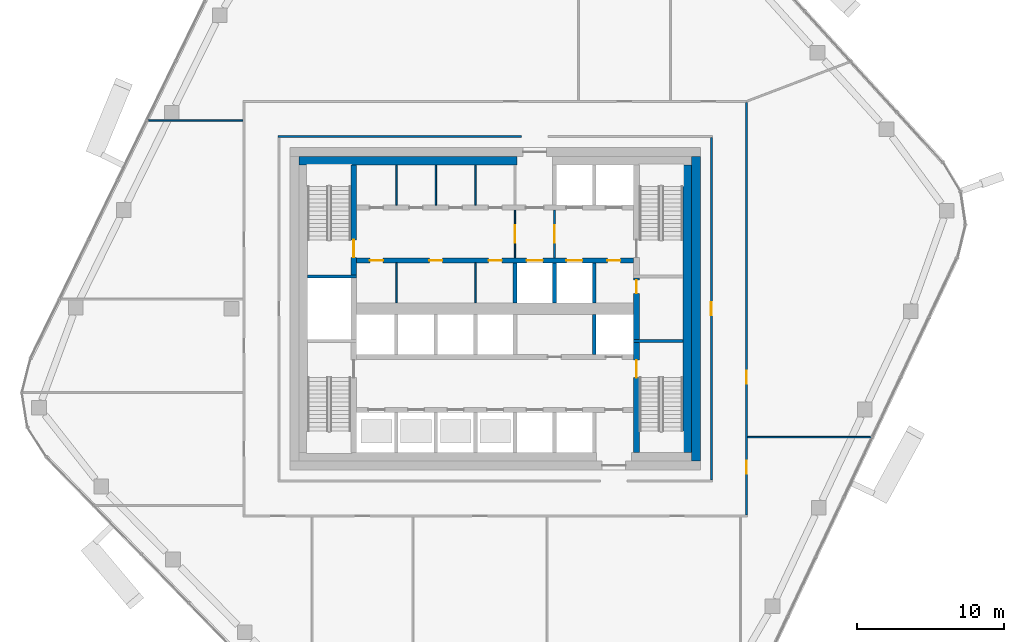
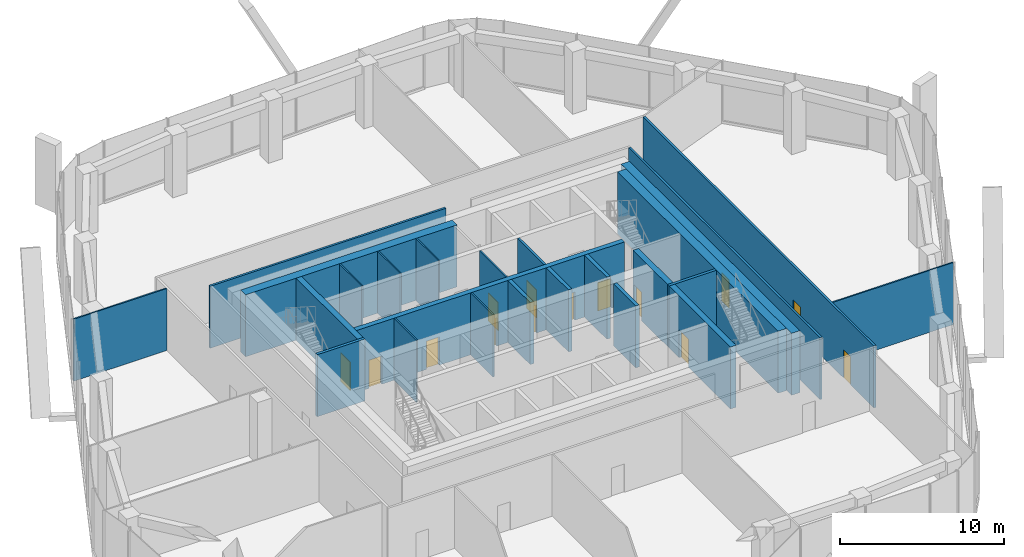
# One storey, part 11 of 20: 25 walls, 14 doors, 14 openings.
"""IFC4 building model written with IfcOpenShell, lengths in metres."""

from ifc_helpers import new_model, si_unit, direction, frame, frame_2d, origin, place, context, subcontext, project, spatial, rectangle, extrude, material, layer, layer_set, type_object, element, fill, save


model = new_model("IFC4")

# Units and contexts
model_context = context("Model", 3, precision=1e-05, world=origin(), true_north=direction((0.0, 1.0)))
body_context = subcontext(model_context, "Body", "Model", "MODEL_VIEW")
ifc_project = project(units=[si_unit("LENGTHUNIT", "METRE"), si_unit("AREAUNIT", "SQUARE_METRE"), si_unit("VOLUMEUNIT", "CUBIC_METRE"), si_unit("PLANEANGLEUNIT", "RADIAN"), si_unit("MASSUNIT", "GRAM", prefix="KILO")], contexts=[model_context])

# Site, building, storey
site_placement = place(None, origin())
site = spatial("IfcSite", under=ifc_project, at=site_placement, CompositionType="ELEMENT")
building_placement = place(site_placement, origin())
building = spatial("IfcBuilding", under=site, at=building_placement, Name="Dongbaek Canopy Tower", CompositionType="ELEMENT")
storey_placement = place(building_placement, frame((0.0, 0.0, 289.199951171875)))
storey = spatial("IfcBuildingStorey", under=building, at=storey_placement, Name="L61", CompositionType="ELEMENT", Elevation=289.199951171875)

# Wall, openings, doors
ifc_material_1 = material(Name="Concrete C60/75", Category="concrete")
ifc_layer_1 = layer(ifc_material_1, 0.35009765625)
ifc_layer_set_1 = layer_set([ifc_layer_1], Name="Core lobby wall 350 Concrete C60/75")
wall_type_1 = type_object("IfcWallType", Name="Core lobby wall 350 Concrete C60/75", PredefinedType="SHEAR", material=ifc_layer_set_1)
wall_1_placement = place(storey_placement, frame((9.449951171875, 3.300048828125, 0.0), z_axis=(0.0, 0.0, 1.0), x_axis=(-1.0, 0.0, 0.0)))
wall_1 = element("IfcWall", 1, at=wall_1_placement, inside=storey, type_object=wall_type_1, Name="Core wall", PredefinedType="SHEAR", context=body_context, shape_type="SweptSolid", body=[
    extrude(rectangle(XDim=18.89990234375, YDim=0.35009765625, at=frame_2d((9.449951171875, 0.0))), origin(), (0.0, 0.0, 1.0), 4.6201171875),
])
opening_1_placement = place(wall_1_placement, frame((6.199951171875, 0.0, 0.0)))
opening_1 = element("IfcOpeningElement", 2, at=opening_1_placement, cuts=wall_1, Name="Opening L61-D020", PredefinedType="OPENING", context=body_context, shape_type="SweptSolid", body=[
    extrude(rectangle(XDim=1.10009765625, YDim=2.10009765625, at=frame_2d((0.550048828125, 1.050048828125))), frame((0.0, 0.18505859375, 0.0), z_axis=(0.0, -1.0, 0.0), x_axis=(1.0, 0.0, 0.0)), (0.0, 0.0, 1.0), 0.3701171875),
])
opening_2_placement = place(wall_1_placement, frame((3.5, 0.0, 0.0)))
opening_2 = element("IfcOpeningElement", 3, at=opening_2_placement, cuts=wall_1, Name="Opening L61-D021", PredefinedType="OPENING", context=body_context, shape_type="SweptSolid", body=[
    extrude(rectangle(XDim=1.10009765625, YDim=2.10009765625, at=frame_2d((0.550048828125, 1.050048828125))), frame((0.0, 0.18505859375, 0.0), z_axis=(0.0, -1.0, 0.0), x_axis=(1.0, 0.0, 0.0)), (0.0, 0.0, 1.0), 0.3701171875),
])
opening_3_placement = place(wall_1_placement, frame((0.89990234375, 0.0, 0.0)))
opening_3 = element("IfcOpeningElement", 4, at=opening_3_placement, cuts=wall_1, Name="Opening L61-D022", PredefinedType="OPENING", context=body_context, shape_type="SweptSolid", body=[
    extrude(rectangle(XDim=0.89990234375, YDim=2.10009765625, at=frame_2d((0.449951171875, 1.050048828125))), frame((0.0, 0.18505859375, 0.0), z_axis=(0.0, -1.0, 0.0), x_axis=(1.0, 0.0, 0.0)), (0.0, 0.0, 1.0), 0.3701171875),
])
opening_4_placement = place(wall_1_placement, frame((17.10009765625, 0.0, 0.0)))
opening_4 = element("IfcOpeningElement", 5, at=opening_4_placement, cuts=wall_1, Name="Opening L61-D036", PredefinedType="OPENING", context=body_context, shape_type="SweptSolid", body=[
    extrude(rectangle(XDim=0.89990234375, YDim=2.10009765625, at=frame_2d((0.449951171875, 1.050048828125))), frame((0.0, 0.18505859375, 0.0), z_axis=(0.0, -1.0, 0.0), x_axis=(1.0, 0.0, 0.0)), (0.0, 0.0, 1.0), 0.3701171875),
])
opening_5_placement = place(wall_1_placement, frame((13.050048828125, 0.0, 0.0)))
opening_5 = element("IfcOpeningElement", 6, at=opening_5_placement, cuts=wall_1, Name="Opening L61-D037", PredefinedType="OPENING", context=body_context, shape_type="SweptSolid", body=[
    extrude(rectangle(XDim=0.89990234375, YDim=2.10009765625, at=frame_2d((0.449951171875, 1.050048828125))), frame((0.0, 0.18505859375, 0.0), z_axis=(0.0, -1.0, 0.0), x_axis=(1.0, 0.0, 0.0)), (0.0, 0.0, 1.0), 0.3701171875),
])
opening_6_placement = place(wall_1_placement, frame((9.0, 0.0, 0.0)))
opening_6 = element("IfcOpeningElement", 7, at=opening_6_placement, cuts=wall_1, Name="Opening L61-D038", PredefinedType="OPENING", context=body_context, shape_type="SweptSolid", body=[
    extrude(rectangle(XDim=0.89990234375, YDim=2.10009765625, at=frame_2d((0.449951171875, 1.050048828125))), frame((0.0, 0.18505859375, 0.0), z_axis=(0.0, -1.0, 0.0), x_axis=(1.0, 0.0, 0.0)), (0.0, 0.0, 1.0), 0.3701171875),
])
ifc_material_2 = material(Name="Steel", Category="steel")
door_type_1 = type_object("IfcDoorType", Name="Core room door 900 x 2100", OperationType="SINGLE_SWING_LEFT", PredefinedType="DOOR", material=ifc_material_2)
door_1_placement = place(opening_3_placement, origin())
door_1 = element("IfcDoor", 8, at=door_1_placement, inside=storey, type_object=door_type_1, Name="Door L61-D022", OperationType="SINGLE_SWING_LEFT", OverallHeight=2.10009765625, OverallWidth=0.89990234375, PredefinedType="DOOR", context=body_context, shape_type="SweptSolid", body=[
    extrude(rectangle(XDim=0.89990234375, YDim=2.10009765625, at=frame_2d((0.449951171875, 1.050048828125))), frame((0.0, 0.02490234375, 0.0), z_axis=(0.0, -1.0, 0.0), x_axis=(1.0, 0.0, 0.0)), (0.0, 0.0, 1.0), 0.050048828125),
])
fill(opening_3, door_1)
door_2_placement = place(opening_4_placement, origin())
door_2 = element("IfcDoor", 9, at=door_2_placement, inside=storey, type_object=door_type_1, Name="Door L61-D036", OperationType="SINGLE_SWING_RIGHT", OverallHeight=2.10009765625, OverallWidth=0.89990234375, PredefinedType="DOOR", context=body_context, shape_type="SweptSolid", body=[
    extrude(rectangle(XDim=0.89990234375, YDim=2.10009765625, at=frame_2d((0.449951171875, 1.050048828125))), frame((0.0, 0.02490234375, 0.0), z_axis=(0.0, -1.0, 0.0), x_axis=(1.0, 0.0, 0.0)), (0.0, 0.0, 1.0), 0.050048828125),
])
fill(opening_4, door_2)
door_3_placement = place(opening_5_placement, origin())
door_3 = element("IfcDoor", 10, at=door_3_placement, inside=storey, type_object=door_type_1, Name="Door L61-D037", OperationType="SINGLE_SWING_LEFT", OverallHeight=2.10009765625, OverallWidth=0.89990234375, PredefinedType="DOOR", context=body_context, shape_type="SweptSolid", body=[
    extrude(rectangle(XDim=0.89990234375, YDim=2.10009765625, at=frame_2d((0.449951171875, 1.050048828125))), frame((0.0, 0.02490234375, 0.0), z_axis=(0.0, -1.0, 0.0), x_axis=(1.0, 0.0, 0.0)), (0.0, 0.0, 1.0), 0.050048828125),
])
fill(opening_5, door_3)
door_4_placement = place(opening_6_placement, origin())
door_4 = element("IfcDoor", 11, at=door_4_placement, inside=storey, type_object=door_type_1, Name="Door L61-D038", OperationType="SINGLE_SWING_RIGHT", OverallHeight=2.10009765625, OverallWidth=0.89990234375, PredefinedType="DOOR", context=body_context, shape_type="SweptSolid", body=[
    extrude(rectangle(XDim=0.89990234375, YDim=2.10009765625, at=frame_2d((0.449951171875, 1.050048828125))), frame((0.0, 0.02490234375, 0.0), z_axis=(0.0, -1.0, 0.0), x_axis=(1.0, 0.0, 0.0)), (0.0, 0.0, 1.0), 0.050048828125),
])
fill(opening_6, door_4)
ifc_material_3 = material(Name="Stainless steel", Category="steel")
door_type_2 = type_object("IfcDoorType", Name="Lift landing door 1100 x 2100", OperationType="DOUBLE_DOOR_SLIDING", PredefinedType="DOOR", material=ifc_material_3)
door_5_placement = place(opening_1_placement, origin())
door_5 = element("IfcDoor", 12, at=door_5_placement, inside=storey, type_object=door_type_2, Name="Landing door SV1", OperationType="DOUBLE_DOOR_SLIDING", OverallHeight=2.10009765625, OverallWidth=1.10009765625, PredefinedType="DOOR", context=body_context, shape_type="SweptSolid", body=[
    extrude(rectangle(XDim=1.10009765625, YDim=2.10009765625, at=frame_2d((0.550048828125, 1.050048828125))), frame((0.0, 0.02490234375, 0.0), z_axis=(0.0, -1.0, 0.0), x_axis=(1.0, 0.0, 0.0)), (0.0, 0.0, 1.0), 0.050048828125),
])
fill(opening_1, door_5)
door_6_placement = place(opening_2_placement, origin())
door_6 = element("IfcDoor", 13, at=door_6_placement, inside=storey, type_object=door_type_2, Name="Landing door FF3", OperationType="DOUBLE_DOOR_SLIDING", OverallHeight=2.10009765625, OverallWidth=1.10009765625, PredefinedType="DOOR", context=body_context, shape_type="SweptSolid", body=[
    extrude(rectangle(XDim=1.10009765625, YDim=2.10009765625, at=frame_2d((0.550048828125, 1.050048828125))), frame((0.0, 0.02490234375, 0.0), z_axis=(0.0, -1.0, 0.0), x_axis=(1.0, 0.0, 0.0)), (0.0, 0.0, 1.0), 0.050048828125),
])
fill(opening_2, door_6)

# Walls
ifc_material_4 = material(Name="Concrete C80/95", Category="concrete")
ifc_layer_2 = layer(ifc_material_4, 0.60009765625)
ifc_layer_set_2 = layer_set([ifc_layer_2], Name="Core outer wall 600 Concrete C80/95")
wall_type_2 = type_object("IfcWallType", Name="Core outer wall 600 Concrete C80/95", PredefinedType="SHEAR", material=ifc_layer_set_2)
wall_2_placement = place(storey_placement, frame((13.699951171875, 10.39990234375, 0.0), z_axis=(0.0, 0.0, 1.0), x_axis=(0.0, -1.0, 0.0)))
element("IfcWall", 14, at=wall_2_placement, inside=storey, type_object=wall_type_2, Name="Core wall", PredefinedType="SHEAR", context=body_context, shape_type="SweptSolid", body=[
    extrude(rectangle(XDim=20.7998046875, YDim=0.60009765625, at=frame_2d((10.39990234375, 0.0))), origin(), (0.0, 0.0, 1.0), 4.6201171875),
])
ifc_material_5 = material(Name="Concrete C60/75", Category="concrete")
ifc_layer_3 = layer(ifc_material_5, 0.60009765625)
ifc_layer_set_3 = layer_set([ifc_layer_3], Name="Core wall lining 600 Concrete C60/75")
wall_type_3 = type_object("IfcWallType", Name="Core wall lining 600 Concrete C60/75", PredefinedType="SHEAR", material=ifc_layer_set_3)
wall_3_placement = place(storey_placement, frame((-13.39990234375, 10.10009765625, 0.0), z_axis=(0.0, 0.0, 1.0), x_axis=(1.0, 0.0, 0.0)))
element("IfcWall", 15, at=wall_3_placement, inside=storey, type_object=wall_type_3, Name="Core wall lining", PredefinedType="SHEAR", context=body_context, shape_type="SweptSolid", body=[
    extrude(rectangle(XDim=14.89990234375, YDim=0.60009765625, at=frame_2d((7.449951171875, 0.0))), origin(), (0.0, 0.0, 1.0), 4.6201171875),
])
wall_4_placement = place(storey_placement, frame((13.10009765625, 9.800048828125, 0.0), z_axis=(0.0, 0.0, 1.0), x_axis=(0.0, -1.0, 0.0)))
element("IfcWall", 16, at=wall_4_placement, inside=storey, type_object=wall_type_3, Name="Core wall lining", PredefinedType="SHEAR", context=body_context, shape_type="SweptSolid", body=[
    extrude(rectangle(XDim=19.60009765625, YDim=0.60009765625, at=frame_2d((9.800048828125, 0.0))), origin(), (0.0, 0.0, 1.0), 4.6201171875),
])
ifc_material_6 = material(Name="Gypsum board partition, steel stud, 2 x 15 mm fire board", Category="steel")
ifc_layer_4 = layer(ifc_material_6, 0.14990234375)
ifc_layer_set_4 = layer_set([ifc_layer_4], Name="Fire-rated partition 150 gypsum board")
wall_type_4 = type_object("IfcWallType", Name="Fire-rated partition 150 gypsum board", PredefinedType="PARTITIONING", material=ifc_layer_set_4)
wall_5_placement = place(storey_placement, frame((-14.824951171875, 11.75, 0.0), z_axis=(0.0, 0.0, 1.0), x_axis=(1.0, 0.0, 0.0)))
element("IfcWall", 17, at=wall_5_placement, inside=storey, type_object=wall_type_4, Name="Corridor partition", PredefinedType="PARTITIONING", context=body_context, shape_type="SweptSolid", body=[
    extrude(rectangle(XDim=16.625, YDim=0.14990234375, at=frame_2d((8.3125, 0.0))), origin(), (0.0, 0.0, 1.0), 4.6201171875),
])

# Wall, openings, doors
wall_6_placement = place(storey_placement, frame((17.14990234375, 14.074951171875, 0.0), z_axis=(0.0, 0.0, 1.0), x_axis=(0.0, -1.0, 0.0)))
wall_6 = element("IfcWall", 18, at=wall_6_placement, inside=storey, type_object=wall_type_4, Name="Corridor partition", PredefinedType="PARTITIONING", context=body_context, shape_type="SweptSolid", body=[
    extrude(rectangle(XDim=28.14990234375, YDim=0.14990234375, at=frame_2d((14.074951171875, 0.0))), origin(), (0.0, 0.0, 1.0), 4.6201171875),
])
opening_7_placement = place(wall_6_placement, frame((24.43310546875, 0.0, 0.0)))
opening_7 = element("IfcOpeningElement", 19, at=opening_7_placement, cuts=wall_6, Name="Opening L61-D007", PredefinedType="OPENING", context=body_context, shape_type="SweptSolid", body=[
    extrude(rectangle(XDim=0.89990234375, YDim=2.10009765625, at=frame_2d((0.449951171875, 1.050048828125))), frame((0.0, 0.0849609375, 0.0), z_axis=(0.0, -1.0, 0.0), x_axis=(1.0, 0.0, 0.0)), (0.0, 0.0, 1.0), 0.169921875),
])
opening_8_placement = place(wall_6_placement, frame((18.303955078125, 0.0, 0.0)))
opening_8 = element("IfcOpeningElement", 20, at=opening_8_placement, cuts=wall_6, Name="Opening L61-D008", PredefinedType="OPENING", context=body_context, shape_type="SweptSolid", body=[
    extrude(rectangle(XDim=0.89990234375, YDim=2.10009765625, at=frame_2d((0.449951171875, 1.050048828125))), frame((0.0, 0.0849609375, 0.0), z_axis=(0.0, -1.0, 0.0), x_axis=(1.0, 0.0, 0.0)), (0.0, 0.0, 1.0), 0.169921875),
])
ifc_material_7 = material(Name="Timber veneered door leaf", Category="wood")
door_type_3 = type_object("IfcDoorType", Name="Room door 900 x 2100", OperationType="SINGLE_SWING_LEFT", PredefinedType="DOOR", material=ifc_material_7)
door_7_placement = place(opening_7_placement, origin())
door_7 = element("IfcDoor", 21, at=door_7_placement, inside=storey, type_object=door_type_3, Name="Door L61-D007", OperationType="SINGLE_SWING_RIGHT", OverallHeight=2.10009765625, OverallWidth=0.89990234375, PredefinedType="DOOR", context=body_context, shape_type="SweptSolid", body=[
    extrude(rectangle(XDim=0.89990234375, YDim=2.10009765625, at=frame_2d((0.449951171875, 1.050048828125))), frame((0.0, 0.02490234375, 0.0), z_axis=(0.0, -1.0, 0.0), x_axis=(1.0, 0.0, 0.0)), (0.0, 0.0, 1.0), 0.050048828125),
])
fill(opening_7, door_7)
door_8_placement = place(opening_8_placement, origin())
door_8 = element("IfcDoor", 22, at=door_8_placement, inside=storey, type_object=door_type_3, Name="Door L61-D008", OperationType="SINGLE_SWING_LEFT", OverallHeight=2.10009765625, OverallWidth=0.89990234375, PredefinedType="DOOR", context=body_context, shape_type="SweptSolid", body=[
    extrude(rectangle(XDim=0.89990234375, YDim=2.10009765625, at=frame_2d((0.449951171875, 1.050048828125))), frame((0.0, 0.02490234375, 0.0), z_axis=(0.0, -1.0, 0.0), x_axis=(1.0, 0.0, 0.0)), (0.0, 0.0, 1.0), 0.050048828125),
])
fill(opening_8, door_8)

# Wall, opening, door
wall_7_placement = place(storey_placement, frame((14.75, -11.675048828125, 0.0), z_axis=(0.0, 0.0, 1.0), x_axis=(0.0, 1.0, 0.0)))
wall_7 = element("IfcWall", 23, at=wall_7_placement, inside=storey, type_object=wall_type_4, Name="Corridor partition", PredefinedType="PARTITIONING", context=body_context, shape_type="SweptSolid", body=[
    extrude(rectangle(XDim=23.35009765625, YDim=0.14990234375, at=frame_2d((11.675048828125, 0.0))), origin(), (0.0, 0.0, 1.0), 4.6201171875),
])
opening_9_placement = place(wall_7_placement, frame((11.22509765625, 0.0, 0.0)))
opening_9 = element("IfcOpeningElement", 24, at=opening_9_placement, cuts=wall_7, Name="Opening L61-D014", PredefinedType="OPENING", context=body_context, shape_type="SweptSolid", body=[
    extrude(rectangle(XDim=0.89990234375, YDim=2.10009765625, at=frame_2d((0.449951171875, 1.050048828125))), frame((0.0, 0.0849609375, 0.0), z_axis=(0.0, -1.0, 0.0), x_axis=(1.0, 0.0, 0.0)), (0.0, 0.0, 1.0), 0.169921875),
])
door_9_placement = place(opening_9_placement, origin())
door_9 = element("IfcDoor", 25, at=door_9_placement, inside=storey, type_object=door_type_3, Name="Door L61-D014", OperationType="SINGLE_SWING_LEFT", OverallHeight=2.10009765625, OverallWidth=0.89990234375, PredefinedType="DOOR", context=body_context, shape_type="SweptSolid", body=[
    extrude(rectangle(XDim=0.89990234375, YDim=2.10009765625, at=frame_2d((0.449951171875, 1.050048828125))), frame((0.0, 0.02490234375, 0.0), z_axis=(0.0, -1.0, 0.0), x_axis=(1.0, 0.0, 0.0)), (0.0, 0.0, 1.0), 0.050048828125),
])
fill(opening_9, door_9)

wall_8_placement = place(storey_placement, frame((4.050048828125, 6.72509765625, 0.0), z_axis=(0.0, 0.0, 1.0), x_axis=(0.0, -1.0, 0.0)))
wall_8 = element("IfcWall", 26, at=wall_8_placement, inside=storey, type_object=wall_type_4, Name="Fire lobby partition", PredefinedType="PARTITIONING", context=body_context, shape_type="SweptSolid", body=[
    extrude(rectangle(XDim=3.25, YDim=0.14990234375, at=frame_2d((1.625, 0.0))), origin(), (0.0, 0.0, 1.0), 4.6201171875),
])
opening_10_placement = place(wall_8_placement, frame((1.02490234375, 0.0, 0.0)))
opening_10 = element("IfcOpeningElement", 27, at=opening_10_placement, cuts=wall_8, Name="Opening L61-D045", PredefinedType="OPENING", context=body_context, shape_type="SweptSolid", body=[
    extrude(rectangle(XDim=1.199951171875, YDim=2.10009765625, at=frame_2d((0.60009765625, 1.050048828125))), frame((0.0, 0.0849609375, 0.0), z_axis=(0.0, -1.0, 0.0), x_axis=(1.0, 0.0, 0.0)), (0.0, 0.0, 1.0), 0.169921875),
])
ifc_material_8 = material(Name="Steel", Category="steel")
door_type_4 = type_object("IfcDoorType", Name="Fire lobby door 1200 x 2100", OperationType="SINGLE_SWING_LEFT", PredefinedType="DOOR", material=ifc_material_8)
door_10_placement = place(opening_10_placement, origin())
door_10 = element("IfcDoor", 28, at=door_10_placement, inside=storey, type_object=door_type_4, Name="Door L61-D045", OperationType="SINGLE_SWING_RIGHT", OverallHeight=2.10009765625, OverallWidth=1.199951171875, PredefinedType="DOOR", context=body_context, shape_type="SweptSolid", body=[
    extrude(rectangle(XDim=1.199951171875, YDim=2.10009765625, at=frame_2d((0.60009765625, 1.050048828125))), frame((0.0, 0.02490234375, 0.0), z_axis=(0.0, -1.0, 0.0), x_axis=(1.0, 0.0, 0.0)), (0.0, 0.0, 1.0), 0.050048828125),
])
fill(opening_10, door_10)

# Walls
ifc_material_9 = material(Name="Concrete C40/50", Category="concrete")
ifc_layer_5 = layer(ifc_material_9, 0.25)
ifc_layer_set_5 = layer_set([ifc_layer_5], Name="Lift shaft wall 250 Concrete C40/50")
wall_type_5 = type_object("IfcWallType", Name="Lift shaft wall 250 Concrete C40/50", PredefinedType="SOLIDWALL", material=ifc_layer_set_5)
for number, where, z_axis, x_axis, name in (
    (29, (6.75, -3.125, 0.0), (0.0, 0.0, 1.0), (0.0, 1.0, 0.0), "Lift shaft wall"),
    (30, (6.75, 0.39990234375, 0.0), (0.0, 0.0, 1.0), (0.0, 1.0, 0.0), "Lift shaft wall"),
    (31, (4.050048828125, 0.39990234375, 0.0), (0.0, 0.0, 1.0), (0.0, 1.0, 0.0), "Lift shaft wall"),
    (32, (1.35009765625, 0.39990234375, 0.0), (0.0, 0.0, 1.0), (0.0, 1.0, 0.0), "Lift shaft wall"),
):
    element("IfcWall", number, at=place(storey_placement, frame(where, z_axis=z_axis, x_axis=x_axis)), inside=storey, type_object=wall_type_5, Name=name, PredefinedType="SOLIDWALL", context=body_context, shape_type="SweptSolid", body=[
        extrude(rectangle(XDim=2.72509765625, YDim=0.25, at=frame_2d((1.362548828125, 0.0))), origin(), (0.0, 0.0, 1.0), 4.6201171875),
    ])
ifc_material_10 = material(Name="Gypsum board partition, steel stud, 2 x 12.5 mm board", Category="steel")
ifc_layer_6 = layer(ifc_material_10, 0.10009765625)
ifc_layer_set_6 = layer_set([ifc_layer_6], Name="Partition 100 gypsum board")
wall_type_6 = type_object("IfcWallType", Name="Partition 100 gypsum board", PredefinedType="PARTITIONING", material=ifc_layer_set_6)
wall_9_placement = place(storey_placement, frame((17.22509765625, -8.764892578125, 0.0), z_axis=(0.0, 0.0, 1.0), x_axis=(1.0, 0.0, 0.0)))
element("IfcWall", 33, at=wall_9_placement, inside=storey, type_object=wall_type_6, Name="Partition", PredefinedType="PARTITIONING", context=body_context, shape_type="SweptSolid", body=[
    extrude(rectangle(XDim=8.50537109375, YDim=0.10009765625, at=frame_2d((4.252685546875, 0.0))), origin(), (0.0, 0.0, 1.0), 4.6201171875),
])
wall_10_placement = place(storey_placement, frame((-23.763427734375, 12.843994140625, 0.0), z_axis=(0.0, 0.0, 1.0), x_axis=(1.0, 0.0, 0.0)))
element("IfcWall", 34, at=wall_10_placement, inside=storey, type_object=wall_type_6, Name="Partition", PredefinedType="PARTITIONING", context=body_context, shape_type="SweptSolid", body=[
    extrude(rectangle(XDim=6.538330078125, YDim=0.10009765625, at=frame_2d((3.26904296875, 0.0))), origin(), (0.0, 0.0, 1.0), 4.6201171875),
])

# Wall, opening, door
wall_11_placement = place(storey_placement, frame((1.35009765625, 6.72509765625, 0.0), z_axis=(0.0, 0.0, 1.0), x_axis=(0.0, -1.0, 0.0)))
wall_11 = element("IfcWall", 35, at=wall_11_placement, inside=storey, type_object=wall_type_6, Name="Core partition", PredefinedType="PARTITIONING", context=body_context, shape_type="SweptSolid", body=[
    extrude(rectangle(XDim=3.25, YDim=0.10009765625, at=frame_2d((1.625, 0.0))), origin(), (0.0, 0.0, 1.0), 4.6201171875),
])
opening_11_placement = place(wall_11_placement, frame((1.02490234375, 0.0, 0.0)))
opening_11 = element("IfcOpeningElement", 36, at=opening_11_placement, cuts=wall_11, Name="Opening L61-D044", PredefinedType="OPENING", context=body_context, shape_type="SweptSolid", body=[
    extrude(rectangle(XDim=1.199951171875, YDim=2.10009765625, at=frame_2d((0.60009765625, 1.050048828125))), frame((0.0, 0.06005859375, 0.0), z_axis=(0.0, -1.0, 0.0), x_axis=(1.0, 0.0, 0.0)), (0.0, 0.0, 1.0), 0.1201171875),
])
door_11_placement = place(opening_11_placement, origin())
door_11 = element("IfcDoor", 37, at=door_11_placement, inside=storey, type_object=door_type_4, Name="Door L61-D044", OperationType="SINGLE_SWING_LEFT", OverallHeight=2.10009765625, OverallWidth=1.199951171875, PredefinedType="DOOR", context=body_context, shape_type="SweptSolid", body=[
    extrude(rectangle(XDim=1.199951171875, YDim=2.10009765625, at=frame_2d((0.60009765625, 1.050048828125))), frame((0.0, 0.02490234375, 0.0), z_axis=(0.0, -1.0, 0.0), x_axis=(1.0, 0.0, 0.0)), (0.0, 0.0, 1.0), 0.050048828125),
])
fill(opening_11, door_11)

# Walls
for number, where, z_axis, x_axis, name in (
    (38, (-1.35009765625, 0.39990234375, 0.0), (0.0, 0.0, 1.0), (0.0, 1.0, 0.0), "Core partition"),
    (39, (-1.35009765625, 7.074951171875, 0.0), (0.0, 0.0, 1.0), (0.0, 1.0, 0.0), "Core partition"),
    (40, (-4.050048828125, 7.074951171875, 0.0), (0.0, 0.0, 1.0), (0.0, 1.0, 0.0), "Core partition"),
    (41, (-6.75, 0.39990234375, 0.0), (0.0, 0.0, 1.0), (0.0, 1.0, 0.0), "Core partition"),
    (42, (-6.75, 7.074951171875, 0.0), (0.0, 0.0, 1.0), (0.0, 1.0, 0.0), "Core partition"),
):
    element("IfcWall", number, at=place(storey_placement, frame(where, z_axis=z_axis, x_axis=x_axis)), inside=storey, type_object=wall_type_6, Name=name, PredefinedType="PARTITIONING", context=body_context, shape_type="SweptSolid", body=[
        extrude(rectangle(XDim=2.72509765625, YDim=0.10009765625, at=frame_2d((1.362548828125, 0.0))), origin(), (0.0, 0.0, 1.0), 4.6201171875),
    ])
ifc_material_11 = material(Name="Concrete C60/75", Category="concrete")
ifc_layer_7 = layer(ifc_material_11, 0.199951171875)
ifc_layer_set_7 = layer_set([ifc_layer_7], Name="Riser wall 200 Concrete C60/75")
wall_type_7 = type_object("IfcWallType", Name="Riser wall 200 Concrete C60/75", PredefinedType="SHEAR", material=ifc_layer_set_7)
for number, where, z_axis, x_axis, name in (
    (43, (-9.449951171875, 2.199951171875, 0.0), (0.0, 0.0, 1.0), (-1.0, 0.0, 0.0), "Riser wall"),
    (44, (9.449951171875, -2.199951171875, 0.0), (0.0, 0.0, 1.0), (1.0, 0.0, 0.0), "Riser wall"),
):
    element("IfcWall", number, at=place(storey_placement, frame(where, z_axis=z_axis, x_axis=x_axis)), inside=storey, type_object=wall_type_7, Name=name, PredefinedType="SHEAR", context=body_context, shape_type="SweptSolid", body=[
        extrude(rectangle(XDim=3.35009765625, YDim=0.199951171875, at=frame_2d((1.675048828125, 0.0))), origin(), (0.0, 0.0, 1.0), 4.6201171875),
    ])

# Wall, opening, door
ifc_material_12 = material(Name="Concrete C60/75", Category="concrete")
ifc_layer_8 = layer(ifc_material_12, 0.39990234375)
ifc_layer_set_8 = layer_set([ifc_layer_8], Name="Stair wall 400 Concrete C60/75")
wall_type_8 = type_object("IfcWallType", Name="Stair wall 400 Concrete C60/75", PredefinedType="SHEAR", material=ifc_layer_set_8)
wall_12_placement = place(storey_placement, frame((9.64990234375, -2.300048828125, 0.0), z_axis=(0.0, 0.0, 1.0), x_axis=(0.0, -1.0, 0.0)))
wall_12 = element("IfcWall", 45, at=wall_12_placement, inside=storey, type_object=wall_type_8, Name="Stair wall", PredefinedType="SHEAR", context=body_context, shape_type="SweptSolid", body=[
    extrude(rectangle(XDim=7.5, YDim=0.39990234375, at=frame_2d((3.75, 0.0))), origin(), (0.0, 0.0, 1.0), 4.6201171875),
])
opening_12_placement = place(wall_12_placement, frame((1.199951171875, 0.0, 0.0)))
opening_12 = element("IfcOpeningElement", 46, at=opening_12_placement, cuts=wall_12, Name="Opening L61-D042", PredefinedType="OPENING", context=body_context, shape_type="SweptSolid", body=[
    extrude(rectangle(XDim=1.199951171875, YDim=2.10009765625, at=frame_2d((0.60009765625, 1.050048828125))), frame((0.0, 0.2099609375, 0.0), z_axis=(0.0, -1.0, 0.0), x_axis=(1.0, 0.0, 0.0)), (0.0, 0.0, 1.0), 0.419921875),
])
ifc_material_13 = material(Name="Steel", Category="steel")
door_type_5 = type_object("IfcDoorType", Name="Stair door 1200 x 2100", OperationType="SINGLE_SWING_LEFT", PredefinedType="DOOR", material=ifc_material_13)
door_12_placement = place(opening_12_placement, origin())
door_12 = element("IfcDoor", 47, at=door_12_placement, inside=storey, type_object=door_type_5, Name="Stair B door", OperationType="SINGLE_SWING_RIGHT", OverallHeight=2.10009765625, OverallWidth=1.199951171875, PredefinedType="DOOR", context=body_context, shape_type="SweptSolid", body=[
    extrude(rectangle(XDim=1.199951171875, YDim=2.10009765625, at=frame_2d((0.60009765625, 1.050048828125))), frame((0.0, 0.02490234375, 0.0), z_axis=(0.0, -1.0, 0.0), x_axis=(1.0, 0.0, 0.0)), (0.0, 0.0, 1.0), 0.050048828125),
])
fill(opening_12, door_12)

wall_13_placement = place(storey_placement, frame((9.64990234375, 2.10009765625, 0.0), z_axis=(0.0, 0.0, 1.0), x_axis=(0.0, -1.0, 0.0)))
wall_13 = element("IfcWall", 48, at=wall_13_placement, inside=storey, type_object=wall_type_8, Name="Stair wall", PredefinedType="SHEAR", context=body_context, shape_type="SweptSolid", body=[
    extrude(rectangle(XDim=4.2001953125, YDim=0.39990234375, at=frame_2d((2.10009765625, 0.0))), origin(), (0.0, 0.0, 1.0), 4.6201171875),
])
opening_13_placement = place(wall_13_placement, frame((0.14990234375, 0.0, 0.0)))
opening_13 = element("IfcOpeningElement", 49, at=opening_13_placement, cuts=wall_13, Name="Opening L61-D015", PredefinedType="OPENING", context=body_context, shape_type="SweptSolid", body=[
    extrude(rectangle(XDim=0.89990234375, YDim=2.10009765625, at=frame_2d((0.449951171875, 1.050048828125))), frame((0.0, 0.2099609375, 0.0), z_axis=(0.0, -1.0, 0.0), x_axis=(1.0, 0.0, 0.0)), (0.0, 0.0, 1.0), 0.419921875),
])
door_13_placement = place(opening_13_placement, origin())
door_13 = element("IfcDoor", 50, at=door_13_placement, inside=storey, type_object=door_type_1, Name="Door L61-D015", OperationType="SINGLE_SWING_RIGHT", OverallHeight=2.10009765625, OverallWidth=0.89990234375, PredefinedType="DOOR", context=body_context, shape_type="SweptSolid", body=[
    extrude(rectangle(XDim=0.89990234375, YDim=2.10009765625, at=frame_2d((0.449951171875, 1.050048828125))), frame((0.0, 0.02490234375, 0.0), z_axis=(0.0, -1.0, 0.0), x_axis=(1.0, 0.0, 0.0)), (0.0, 0.0, 1.0), 0.050048828125),
])
fill(opening_13, door_13)

wall_14_placement = place(storey_placement, frame((-9.64990234375, 2.300048828125, 0.0), z_axis=(0.0, 0.0, 1.0), x_axis=(0.0, 1.0, 0.0)))
wall_14 = element("IfcWall", 51, at=wall_14_placement, inside=storey, type_object=wall_type_8, Name="Stair wall", PredefinedType="SHEAR", context=body_context, shape_type="SweptSolid", body=[
    extrude(rectangle(XDim=7.5, YDim=0.39990234375, at=frame_2d((3.75, 0.0))), origin(), (0.0, 0.0, 1.0), 4.6201171875),
])
opening_14_placement = place(wall_14_placement, frame((1.199951171875, 0.0, 0.0)))
opening_14 = element("IfcOpeningElement", 52, at=opening_14_placement, cuts=wall_14, Name="Opening L61-D041", PredefinedType="OPENING", context=body_context, shape_type="SweptSolid", body=[
    extrude(rectangle(XDim=1.199951171875, YDim=2.10009765625, at=frame_2d((0.60009765625, 1.050048828125))), frame((0.0, 0.2099609375, 0.0), z_axis=(0.0, -1.0, 0.0), x_axis=(1.0, 0.0, 0.0)), (0.0, 0.0, 1.0), 0.419921875),
])
door_14_placement = place(opening_14_placement, origin())
door_14 = element("IfcDoor", 53, at=door_14_placement, inside=storey, type_object=door_type_5, Name="Stair C door", OperationType="SINGLE_SWING_RIGHT", OverallHeight=2.10009765625, OverallWidth=1.199951171875, PredefinedType="DOOR", context=body_context, shape_type="SweptSolid", body=[
    extrude(rectangle(XDim=1.199951171875, YDim=2.10009765625, at=frame_2d((0.60009765625, 1.050048828125))), frame((0.0, 0.02490234375, 0.0), z_axis=(0.0, -1.0, 0.0), x_axis=(1.0, 0.0, 0.0)), (0.0, 0.0, 1.0), 0.050048828125),
])
fill(opening_14, door_14)

save(model, "model.ifc")
